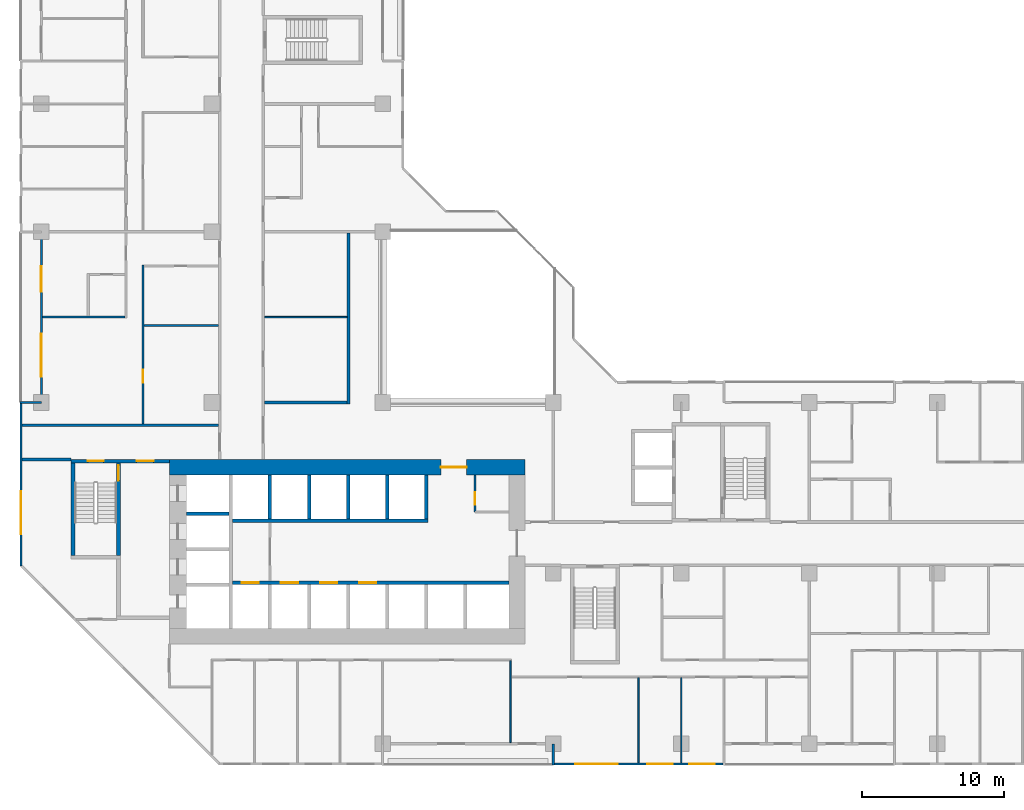
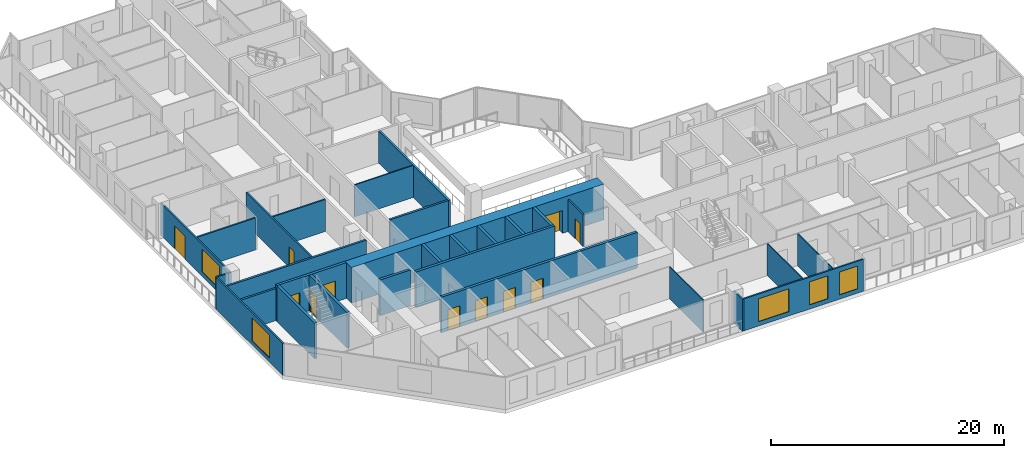
# One storey, part 5 of 15: 29 walls, 11 doors, 5 windows, 16 openings.
"""IFC4 building model written with IfcOpenShell, lengths in metres."""

from ifc_helpers import new_model, si_unit, direction, frame, frame_2d, origin, place, context, subcontext, project, spatial, rectangle, extrude, material, layer, layer_set, type_object, element, fill, save


model = new_model("IFC4")

# Units and contexts
model_context = context("Model", 3, precision=1e-05, world=origin(), true_north=direction((0.0, 1.0)))
body_context = subcontext(model_context, "Body", "Model", "MODEL_VIEW")
ifc_project = project(units=[si_unit("LENGTHUNIT", "METRE"), si_unit("AREAUNIT", "SQUARE_METRE"), si_unit("VOLUMEUNIT", "CUBIC_METRE"), si_unit("PLANEANGLEUNIT", "RADIAN"), si_unit("MASSUNIT", "GRAM", prefix="KILO")], contexts=[model_context])

# Site, building, storey
site_placement = place(None, origin())
site = spatial("IfcSite", under=ifc_project, at=site_placement, CompositionType="ELEMENT")
building_placement = place(site_placement, origin())
building = spatial("IfcBuilding", under=site, at=building_placement, Name="Chenar Terraces", CompositionType="ELEMENT")
storey_placement = place(building_placement, frame((0.0, 0.0, 67.64990234375)))
storey = spatial("IfcBuildingStorey", under=building, at=storey_placement, Name="L14", CompositionType="ELEMENT", Elevation=67.64990234375)

# Wall, opening, door
ifc_material_1 = material(Name="Gypsum board on steel studs", Category="steel")
ifc_layer_1 = layer(ifc_material_1, 0.14990234375)
ifc_layer_set_1 = layer_set([ifc_layer_1], Name="Gypsum board on steel studs")
wall_type_1 = type_object("IfcWallType", Name="Core partition 150 gypsum board", PredefinedType="PARTITIONING", material=ifc_layer_set_1)
wall_1_placement = place(storey_placement, frame((30.5, 16.300048828125, 0.0), z_axis=(0.0, 0.0, 1.0), x_axis=(0.0, 1.0, 0.0)))
wall_1 = element("IfcWall", 1, at=wall_1_placement, inside=storey, type_object=wall_type_1, Name="Core partition CP1 vestibule room west wall", PredefinedType="PARTITIONING", context=body_context, shape_type="SweptSolid", body=[
    extrude(rectangle(XDim=2.599853515625, YDim=0.14990234375, at=frame_2d((1.2998046875, 0.0))), origin(), (0.0, 0.0, 1.0), 3.35009765625),
])
opening_1_placement = place(wall_1_placement, frame((0.5, 0.0, 0.0)))
opening_1 = element("IfcOpeningElement", 2, at=opening_1_placement, cuts=wall_1, Name="Opening DL14-C13", PredefinedType="OPENING", context=body_context, shape_type="SweptSolid", body=[
    extrude(rectangle(XDim=0.89990234375, YDim=2.10009765625, at=frame_2d((0.449951171875, 1.050048828125))), frame((0.0, 0.0849609375, 0.0), z_axis=(0.0, -1.0, 0.0), x_axis=(1.0, 0.0, 0.0)), (0.0, 0.0, 1.0), 0.169921875),
])
ifc_material_2 = material(Name="Steel-framed fire-resisting door leaf", Category="steel")
door_type_1 = type_object("IfcDoorType", Name="Riser fire door FD60 900 x 2100", OperationType="SINGLE_SWING_LEFT", PredefinedType="DOOR", material=ifc_material_2)
door_1_placement = place(opening_1_placement, frame((0.89990234375, 0.0, 0.0), z_axis=(0.0, 0.0, 1.0), x_axis=(-1.0, 0.0, 0.0)))
door_1 = element("IfcDoor", 3, at=door_1_placement, inside=storey, type_object=door_type_1, Name="Core room door DL14-C13", OperationType="SINGLE_SWING_RIGHT", OverallHeight=2.10009765625, OverallWidth=0.89990234375, PredefinedType="DOOR", context=body_context, shape_type="SweptSolid", body=[
    extrude(rectangle(XDim=0.89990234375, YDim=2.10009765625, at=frame_2d((0.449951171875, 1.050048828125))), frame((0.0, 0.02490234375, 0.0), z_axis=(0.0, -1.0, 0.0), x_axis=(1.0, 0.0, 0.0)), (0.0, 0.0, 1.0), 0.050048828125),
])
fill(opening_1, door_1)

ifc_material_3 = material(Name="Concrete C70/85", Category="concrete")
ifc_layer_2 = layer(ifc_material_3, 1.10009765625)
ifc_layer_set_2 = layer_set([ifc_layer_2], Name="Concrete C70/85")
wall_type_2 = type_object("IfcWallType", Name="Core wall 1100 Concrete C70/85", PredefinedType="SHEAR", material=ifc_layer_set_2)
wall_2_placement = place(storey_placement, frame((9.0, 19.449951171875, 0.0), z_axis=(0.0, 0.0, 1.0), x_axis=(1.0, 0.0, 0.0)))
wall_2 = element("IfcWall", 4, at=wall_2_placement, inside=storey, type_object=wall_type_2, Name="Core wall N L14", PredefinedType="SHEAR", context=body_context, shape_type="SweptSolid", body=[
    extrude(rectangle(XDim=25.0, YDim=1.10009765625, at=frame_2d((12.5, 0.0))), origin(), (0.0, 0.0, 1.0), 3.75),
])
opening_2_placement = place(wall_2_placement, frame((19.10009765625, 0.0, 0.0)))
opening_2 = element("IfcOpeningElement", 5, at=opening_2_placement, cuts=wall_2, Name="Opening DL14-C2", PredefinedType="OPENING", context=body_context, shape_type="SweptSolid", body=[
    extrude(rectangle(XDim=1.800048828125, YDim=2.39990234375, at=frame_2d((0.89990234375, 1.199951171875))), frame((0.0, 0.56005859375, 0.0), z_axis=(0.0, -1.0, 0.0), x_axis=(1.0, 0.0, 0.0)), (0.0, 0.0, 1.0), 1.1201171875),
])
ifc_material_4 = material(Name="Steel-framed fire-resisting door leaf", Category="steel")
door_type_2 = type_object("IfcDoorType", Name="Core entrance double fire door FD60 1800 x 2400", OperationType="DOUBLE_DOOR_SINGLE_SWING", PredefinedType="DOOR", material=ifc_material_4)
door_2_placement = place(opening_2_placement, frame((1.800048828125, 0.0, 0.0), z_axis=(0.0, 0.0, 1.0), x_axis=(-1.0, 0.0, 0.0)))
door_2 = element("IfcDoor", 6, at=door_2_placement, inside=storey, type_object=door_type_2, Name="Core door DL14-C2", OperationType="DOUBLE_DOOR_SINGLE_SWING", OverallHeight=2.39990234375, OverallWidth=1.800048828125, PredefinedType="DOOR", context=body_context, shape_type="SweptSolid", body=[
    extrude(rectangle(XDim=1.800048828125, YDim=2.39990234375, at=frame_2d((0.89990234375, 1.199951171875))), frame((0.0, 0.02490234375, 0.0), z_axis=(0.0, -1.0, 0.0), x_axis=(1.0, 0.0, 0.0)), (0.0, 0.0, 1.0), 0.050048828125),
])
fill(opening_2, door_2)

# Wall, openings, doors
ifc_material_5 = material(Name="Concrete C70/85", Category="concrete")
ifc_layer_3 = layer(ifc_material_5, 0.25)
ifc_layer_set_3 = layer_set([ifc_layer_3], Name="Concrete C70/85")
wall_type_3 = type_object("IfcWallType", Name="Core wall 250 Concrete C70/85", PredefinedType="SHEAR", material=ifc_layer_set_3)
wall_3_placement = place(storey_placement, frame((13.449951171875, 11.324951171875, 0.0), z_axis=(0.0, 0.0, 1.0), x_axis=(1.0, 0.0, 0.0)))
wall_3 = element("IfcWall", 7, at=wall_3_placement, inside=storey, type_object=wall_type_3, Name="Core wall SF L14", PredefinedType="SHEAR", context=body_context, shape_type="SweptSolid", body=[
    extrude(rectangle(XDim=19.449951171875, YDim=0.25, at=frame_2d((9.72509765625, 0.0))), origin(), (0.0, 0.0, 1.0), 3.75),
])
opening_3_placement = place(wall_3_placement, frame((0.64990234375, 0.0, 0.0)))
opening_3 = element("IfcOpeningElement", 8, at=opening_3_placement, cuts=wall_3, Name="Opening DL14-LD1", PredefinedType="OPENING", context=body_context, shape_type="SweptSolid", body=[
    extrude(rectangle(XDim=1.199951171875, YDim=2.199951171875, at=frame_2d((0.60009765625, 1.10009765625))), frame((0.0, 0.135009765625, 0.0), z_axis=(0.0, -1.0, 0.0), x_axis=(1.0, 0.0, 0.0)), (0.0, 0.0, 1.0), 0.27001953125),
])
opening_4_placement = place(wall_3_placement, frame((3.39990234375, 0.0, 0.0)))
opening_4 = element("IfcOpeningElement", 9, at=opening_4_placement, cuts=wall_3, Name="Opening DL14-LD2", PredefinedType="OPENING", context=body_context, shape_type="SweptSolid", body=[
    extrude(rectangle(XDim=1.199951171875, YDim=2.199951171875, at=frame_2d((0.60009765625, 1.10009765625))), frame((0.0, 0.135009765625, 0.0), z_axis=(0.0, -1.0, 0.0), x_axis=(1.0, 0.0, 0.0)), (0.0, 0.0, 1.0), 0.27001953125),
])
opening_5_placement = place(wall_3_placement, frame((6.14990234375, 0.0, 0.0)))
opening_5 = element("IfcOpeningElement", 10, at=opening_5_placement, cuts=wall_3, Name="Opening DL14-LD3", PredefinedType="OPENING", context=body_context, shape_type="SweptSolid", body=[
    extrude(rectangle(XDim=1.199951171875, YDim=2.199951171875, at=frame_2d((0.60009765625, 1.10009765625))), frame((0.0, 0.135009765625, 0.0), z_axis=(0.0, -1.0, 0.0), x_axis=(1.0, 0.0, 0.0)), (0.0, 0.0, 1.0), 0.27001953125),
])
opening_6_placement = place(wall_3_placement, frame((8.89990234375, 0.0, 0.0)))
opening_6 = element("IfcOpeningElement", 11, at=opening_6_placement, cuts=wall_3, Name="Opening DL14-LD4", PredefinedType="OPENING", context=body_context, shape_type="SweptSolid", body=[
    extrude(rectangle(XDim=1.199951171875, YDim=2.199951171875, at=frame_2d((0.60009765625, 1.10009765625))), frame((0.0, 0.135009765625, 0.0), z_axis=(0.0, -1.0, 0.0), x_axis=(1.0, 0.0, 0.0)), (0.0, 0.0, 1.0), 0.27001953125),
])
ifc_material_6 = material(Name="Stainless steel", Category="steel")
door_type_3 = type_object("IfcDoorType", Name="Lift landing door 1200 x 2200 sliding", OperationType="DOUBLE_DOOR_SLIDING", PredefinedType="DOOR", material=ifc_material_6)
door_3_placement = place(opening_3_placement, origin())
door_3 = element("IfcDoor", 12, at=door_3_placement, inside=storey, type_object=door_type_3, Name="Landing door L1", OperationType="DOUBLE_DOOR_SLIDING", OverallHeight=2.199951171875, OverallWidth=1.199951171875, PredefinedType="DOOR", context=body_context, shape_type="SweptSolid", body=[
    extrude(rectangle(XDim=1.199951171875, YDim=2.199951171875, at=frame_2d((0.60009765625, 1.10009765625))), frame((0.0, 0.02490234375, 0.0), z_axis=(0.0, -1.0, 0.0), x_axis=(1.0, 0.0, 0.0)), (0.0, 0.0, 1.0), 0.050048828125),
])
fill(opening_3, door_3)
door_4_placement = place(opening_4_placement, origin())
door_4 = element("IfcDoor", 13, at=door_4_placement, inside=storey, type_object=door_type_3, Name="Landing door L2", OperationType="DOUBLE_DOOR_SLIDING", OverallHeight=2.199951171875, OverallWidth=1.199951171875, PredefinedType="DOOR", context=body_context, shape_type="SweptSolid", body=[
    extrude(rectangle(XDim=1.199951171875, YDim=2.199951171875, at=frame_2d((0.60009765625, 1.10009765625))), frame((0.0, 0.02490234375, 0.0), z_axis=(0.0, -1.0, 0.0), x_axis=(1.0, 0.0, 0.0)), (0.0, 0.0, 1.0), 0.050048828125),
])
fill(opening_4, door_4)
door_5_placement = place(opening_5_placement, origin())
door_5 = element("IfcDoor", 14, at=door_5_placement, inside=storey, type_object=door_type_3, Name="Landing door L3", OperationType="DOUBLE_DOOR_SLIDING", OverallHeight=2.199951171875, OverallWidth=1.199951171875, PredefinedType="DOOR", context=body_context, shape_type="SweptSolid", body=[
    extrude(rectangle(XDim=1.199951171875, YDim=2.199951171875, at=frame_2d((0.60009765625, 1.10009765625))), frame((0.0, 0.02490234375, 0.0), z_axis=(0.0, -1.0, 0.0), x_axis=(1.0, 0.0, 0.0)), (0.0, 0.0, 1.0), 0.050048828125),
])
fill(opening_5, door_5)
door_6_placement = place(opening_6_placement, origin())
door_6 = element("IfcDoor", 15, at=door_6_placement, inside=storey, type_object=door_type_3, Name="Landing door L4", OperationType="DOUBLE_DOOR_SLIDING", OverallHeight=2.199951171875, OverallWidth=1.199951171875, PredefinedType="DOOR", context=body_context, shape_type="SweptSolid", body=[
    extrude(rectangle(XDim=1.199951171875, YDim=2.199951171875, at=frame_2d((0.60009765625, 1.10009765625))), frame((0.0, 0.02490234375, 0.0), z_axis=(0.0, -1.0, 0.0), x_axis=(1.0, 0.0, 0.0)), (0.0, 0.0, 1.0), 0.050048828125),
])
fill(opening_6, door_6)

# Walls
wall_4_placement = place(storey_placement, frame((13.449951171875, 15.675048828125, 0.0), z_axis=(0.0, 0.0, 1.0), x_axis=(1.0, 0.0, 0.0)))
element("IfcWall", 16, at=wall_4_placement, inside=storey, type_object=wall_type_3, Name="Core wall NF L14", PredefinedType="SHEAR", context=body_context, shape_type="SweptSolid", body=[
    extrude(rectangle(XDim=13.75, YDim=0.25, at=frame_2d((6.875, 0.0))), origin(), (0.0, 0.0, 1.0), 3.75),
])
wall_5_placement = place(storey_placement, frame((10.199951171875, 16.175048828125, 0.0), z_axis=(0.0, 0.0, 1.0), x_axis=(1.0, 0.0, 0.0)))
element("IfcWall", 17, at=wall_5_placement, inside=storey, type_object=wall_type_3, Name="Core wall HW2 L14", PredefinedType="SHEAR", context=body_context, shape_type="SweptSolid", body=[
    extrude(rectangle(XDim=3.0, YDim=0.25, at=frame_2d((1.5, 0.0))), origin(), (0.0, 0.0, 1.0), 3.75),
])
for number, where, z_axis, x_axis, name in (
    (18, (16.074951171875, 15.800048828125, 0.0), (0.0, 0.0, 1.0), (0.0, 1.0, 0.0), "Core wall NS0 L14"),
    (19, (18.824951171875, 15.800048828125, 0.0), (0.0, 0.0, 1.0), (0.0, 1.0, 0.0), "Core wall NS1 L14"),
    (20, (21.574951171875, 15.800048828125, 0.0), (0.0, 0.0, 1.0), (0.0, 1.0, 0.0), "Core wall NS2 L14"),
    (21, (24.324951171875, 15.800048828125, 0.0), (0.0, 0.0, 1.0), (0.0, 1.0, 0.0), "Core wall NS3 L14"),
    (22, (27.074951171875, 15.800048828125, 0.0), (0.0, 0.0, 1.0), (0.0, 1.0, 0.0), "Core wall NE L14"),
):
    element("IfcWall", number, at=place(storey_placement, frame(where, z_axis=z_axis, x_axis=x_axis)), inside=storey, type_object=wall_type_3, Name=name, PredefinedType="SHEAR", context=body_context, shape_type="SweptSolid", body=[
        extrude(rectangle(XDim=3.099853515625, YDim=0.25, at=frame_2d((1.5498046875, 0.0))), origin(), (0.0, 0.0, 1.0), 3.75),
    ])

# Wall, openings, doors
wall_6_placement = place(storey_placement, frame((2.10009765625, 19.875, 0.0), z_axis=(0.0, 0.0, 1.0), x_axis=(1.0, 0.0, 0.0)))
wall_6 = element("IfcWall", 23, at=wall_6_placement, inside=storey, type_object=wall_type_3, Name="Core wall A_N L14", PredefinedType="SHEAR", context=body_context, shape_type="SweptSolid", body=[
    extrude(rectangle(XDim=6.89990234375, YDim=0.25, at=frame_2d((3.449951171875, 0.0))), origin(), (0.0, 0.0, 1.0), 3.75),
])
opening_7_placement = place(wall_6_placement, frame((1.175048828125, 0.0, 0.0)))
opening_7 = element("IfcOpeningElement", 24, at=opening_7_placement, cuts=wall_6, Name="Opening DL14-C5", PredefinedType="OPENING", context=body_context, shape_type="SweptSolid", body=[
    extrude(rectangle(XDim=1.10009765625, YDim=2.199951171875, at=frame_2d((0.550048828125, 1.10009765625))), frame((0.0, 0.135009765625, 0.0), z_axis=(0.0, -1.0, 0.0), x_axis=(1.0, 0.0, 0.0)), (0.0, 0.0, 1.0), 0.27001953125),
])
opening_8_placement = place(wall_6_placement, frame((4.60009765625, 0.0, 0.0)))
opening_8 = element("IfcOpeningElement", 25, at=opening_8_placement, cuts=wall_6, Name="Opening DL14-C6", PredefinedType="OPENING", context=body_context, shape_type="SweptSolid", body=[
    extrude(rectangle(XDim=1.199951171875, YDim=2.199951171875, at=frame_2d((0.60009765625, 1.10009765625))), frame((0.0, 0.135009765625, 0.0), z_axis=(0.0, -1.0, 0.0), x_axis=(1.0, 0.0, 0.0)), (0.0, 0.0, 1.0), 0.27001953125),
])
ifc_material_7 = material(Name="Steel-framed fire-resisting door leaf", Category="steel")
door_type_4 = type_object("IfcDoorType", Name="Lobby fire door FD60 1200 x 2200", OperationType="SINGLE_SWING_LEFT", PredefinedType="DOOR", material=ifc_material_7)
door_7_placement = place(opening_8_placement, frame((1.199951171875, 0.0, 0.0), z_axis=(0.0, 0.0, 1.0), x_axis=(-1.0, 0.0, 0.0)))
door_7 = element("IfcDoor", 26, at=door_7_placement, inside=storey, type_object=door_type_4, Name="Core door DL14-C6", OperationType="SINGLE_SWING_LEFT", OverallHeight=2.199951171875, OverallWidth=1.199951171875, PredefinedType="DOOR", context=body_context, shape_type="SweptSolid", body=[
    extrude(rectangle(XDim=1.199951171875, YDim=2.199951171875, at=frame_2d((0.60009765625, 1.10009765625))), frame((0.0, 0.02490234375, 0.0), z_axis=(0.0, -1.0, 0.0), x_axis=(1.0, 0.0, 0.0)), (0.0, 0.0, 1.0), 0.050048828125),
])
fill(opening_8, door_7)
ifc_material_8 = material(Name="Steel-framed fire-resisting door leaf", Category="steel")
door_type_5 = type_object("IfcDoorType", Name="Stair fire door FD60 1100 x 2200", OperationType="SINGLE_SWING_LEFT", PredefinedType="DOOR", material=ifc_material_8)
door_8_placement = place(opening_7_placement, origin())
door_8 = element("IfcDoor", 27, at=door_8_placement, inside=storey, type_object=door_type_5, Name="Stair door DL14-C5", OperationType="SINGLE_SWING_LEFT", OverallHeight=2.199951171875, OverallWidth=1.10009765625, PredefinedType="DOOR", context=body_context, shape_type="SweptSolid", body=[
    extrude(rectangle(XDim=1.10009765625, YDim=2.199951171875, at=frame_2d((0.550048828125, 1.10009765625))), frame((0.0, 0.02490234375, 0.0), z_axis=(0.0, -1.0, 0.0), x_axis=(1.0, 0.0, 0.0)), (0.0, 0.0, 1.0), 0.050048828125),
])
fill(opening_7, door_8)

# Wall
wall_7_placement = place(storey_placement, frame((2.22509765625, 13.25, 0.0), z_axis=(0.0, 0.0, 1.0), x_axis=(0.0, 1.0, 0.0)))
element("IfcWall", 28, at=wall_7_placement, inside=storey, type_object=wall_type_3, Name="Core wall ST1_W L14", PredefinedType="SHEAR", context=body_context, shape_type="SweptSolid", body=[
    extrude(rectangle(XDim=6.5, YDim=0.25, at=frame_2d((3.25, 0.0))), origin(), (0.0, 0.0, 1.0), 3.75),
])

# Wall, opening, door
wall_8_placement = place(storey_placement, frame((5.425048828125, 13.25, 0.0), z_axis=(0.0, 0.0, 1.0), x_axis=(0.0, 1.0, 0.0)))
wall_8 = element("IfcWall", 29, at=wall_8_placement, inside=storey, type_object=wall_type_3, Name="Core wall ST1_E L14", PredefinedType="SHEAR", context=body_context, shape_type="SweptSolid", body=[
    extrude(rectangle(XDim=6.5, YDim=0.25, at=frame_2d((3.25, 0.0))), origin(), (0.0, 0.0, 1.0), 3.75),
])
opening_9_placement = place(wall_8_placement, frame((5.25, 0.0, 0.0)))
opening_9 = element("IfcOpeningElement", 30, at=opening_9_placement, cuts=wall_8, Name="Opening DL14-C3", PredefinedType="OPENING", context=body_context, shape_type="SweptSolid", body=[
    extrude(rectangle(XDim=1.10009765625, YDim=2.199951171875, at=frame_2d((0.550048828125, 1.10009765625))), frame((0.0, 0.135009765625, 0.0), z_axis=(0.0, -1.0, 0.0), x_axis=(1.0, 0.0, 0.0)), (0.0, 0.0, 1.0), 0.27001953125),
])
door_9_placement = place(opening_9_placement, origin())
door_9 = element("IfcDoor", 31, at=door_9_placement, inside=storey, type_object=door_type_5, Name="Stair door DL14-C3", OperationType="SINGLE_SWING_RIGHT", OverallHeight=2.199951171875, OverallWidth=1.10009765625, PredefinedType="DOOR", context=body_context, shape_type="SweptSolid", body=[
    extrude(rectangle(XDim=1.10009765625, YDim=2.199951171875, at=frame_2d((0.550048828125, 1.10009765625))), frame((0.0, 0.02490234375, 0.0), z_axis=(0.0, -1.0, 0.0), x_axis=(1.0, 0.0, 0.0)), (0.0, 0.0, 1.0), 0.050048828125),
])
fill(opening_9, door_9)

# Walls
ifc_material_9 = material(Name="Gypsum board on steel studs with fire boards", Category="steel")
ifc_layer_4 = layer(ifc_material_9, 0.199951171875)
ifc_layer_set_4 = layer_set([ifc_layer_4], Name="Gypsum board on steel studs with fire boards")
wall_type_4 = type_object("IfcWallType", Name="Corridor wall 200", PredefinedType="PARTITIONING", material=ifc_layer_set_4)
wall_9_placement = place(storey_placement, frame((-1.35009765625, 20.0, 0.0), z_axis=(0.0, 0.0, 1.0), x_axis=(1.0, 0.0, 0.0)))
element("IfcWall", 32, at=wall_9_placement, inside=storey, type_object=wall_type_4, Name="Partition L14-004", PredefinedType="PARTITIONING", context=body_context, shape_type="SweptSolid", body=[
    extrude(rectangle(XDim=3.4501953125, YDim=0.199951171875, at=frame_2d((1.72509765625, 0.0))), origin(), (0.0, 0.0, 1.0), 3.35009765625),
])
wall_10_placement = place(storey_placement, frame((-1.35009765625, 22.39990234375, 0.0), z_axis=(0.0, 0.0, 1.0), x_axis=(1.0, 0.0, 0.0)))
element("IfcWall", 33, at=wall_10_placement, inside=storey, type_object=wall_type_4, Name="Partition L14-005", PredefinedType="PARTITIONING", context=body_context, shape_type="SweptSolid", body=[
    extrude(rectangle(XDim=13.800048828125, YDim=0.199951171875, at=frame_2d((6.89990234375, 0.0))), origin(), (0.0, 0.0, 1.0), 3.35009765625),
])
wall_11_placement = place(storey_placement, frame((15.699951171875, 24.0, 0.0), z_axis=(0.0, 0.0, 1.0), x_axis=(1.0, 0.0, 0.0)))
element("IfcWall", 34, at=wall_11_placement, inside=storey, type_object=wall_type_4, Name="Partition L14-035", PredefinedType="PARTITIONING", context=body_context, shape_type="SweptSolid", body=[
    extrude(rectangle(XDim=5.800048828125, YDim=0.199951171875, at=frame_2d((2.89990234375, 0.0))), origin(), (0.0, 0.0, 1.0), 3.35009765625),
])
wall_12_placement = place(storey_placement, frame((21.60009765625, 23.89990234375, 0.0), z_axis=(0.0, 0.0, 1.0), x_axis=(0.0, 1.0, 0.0)))
element("IfcWall", 35, at=wall_12_placement, inside=storey, type_object=wall_type_4, Name="Partition L14-053", PredefinedType="PARTITIONING", context=body_context, shape_type="SweptSolid", body=[
    extrude(rectangle(XDim=12.0, YDim=0.199951171875, at=frame_2d((6.0, 0.0))), origin(), (0.0, 0.0, 1.0), 3.35009765625),
])

# Wall, opening, window
ifc_material_10 = material(Name="Aluminium framed glazing", Category="aluminium")
ifc_layer_5 = layer(ifc_material_10, 0.14990234375)
ifc_layer_set_5 = layer_set([ifc_layer_5], Name="Aluminium framed glazing")
wall_type_5 = type_object("IfcWallType", Name="Glazed flush facade wall 150", PredefinedType="SOLIDWALL", material=ifc_layer_set_5)
wall_13_placement = place(storey_placement, frame((-1.425048828125, 23.925048828125, 0.0), z_axis=(0.0, 0.0, 1.0), x_axis=(0.0, -1.0, 0.0)))
wall_13 = element("IfcWall", 36, at=wall_13_placement, inside=storey, type_object=wall_type_5, Name="Glazed flush facade wall", PredefinedType="SOLIDWALL", context=body_context, shape_type="SweptSolid", body=[
    extrude(rectangle(XDim=11.425048828125, YDim=0.14990234375, at=frame_2d((5.71240234375, 0.0))), origin(), (0.0, 0.0, 1.0), 3.35009765625),
])
opening_10_placement = place(wall_13_placement, frame((6.175048828125, 0.0, 0.449951171875)))
opening_10 = element("IfcOpeningElement", 37, at=opening_10_placement, cuts=wall_13, Name="Opening W300x240", PredefinedType="OPENING", context=body_context, shape_type="SweptSolid", body=[
    extrude(rectangle(XDim=3.0, YDim=2.39990234375, at=frame_2d((1.5, 1.199951171875))), frame((0.0, 0.0849609375, 0.0), z_axis=(0.0, -1.0, 0.0), x_axis=(1.0, 0.0, 0.0)), (0.0, 0.0, 1.0), 0.169921875),
])
ifc_material_11 = material(Name="Low emissivity double glazing, aluminium frame", Category="aluminium")
window_type_1 = type_object("IfcWindowType", Name="Fixed light 3000 x 2400", PartitioningType="SINGLE_PANEL", PredefinedType="WINDOW", material=ifc_material_11)
window_1_placement = place(opening_10_placement, origin())
window_1 = element("IfcWindow", 38, at=window_1_placement, inside=storey, type_object=window_type_1, Name="Window", OverallHeight=2.39990234375, OverallWidth=3.0, PartitioningType="SINGLE_PANEL", PredefinedType="WINDOW", context=body_context, shape_type="SweptSolid", body=[
    extrude(rectangle(XDim=3.0, YDim=2.39990234375, at=frame_2d((1.5, 1.199951171875))), frame((0.0, 0.030029296875, 0.0), z_axis=(0.0, -1.0, 0.0), x_axis=(1.0, 0.0, 0.0)), (0.0, 0.0, 1.0), 0.06005859375),
])
fill(opening_10, window_1)

# Wall, openings, windows
wall_14_placement = place(storey_placement, frame((36.074951171875, -1.425048828125, 0.0), z_axis=(0.0, 0.0, 1.0), x_axis=(1.0, 0.0, 0.0)))
wall_14 = element("IfcWall", 39, at=wall_14_placement, inside=storey, type_object=wall_type_5, Name="Glazed flush facade wall", PredefinedType="SOLIDWALL", context=body_context, shape_type="SweptSolid", body=[
    extrude(rectangle(XDim=11.85009765625, YDim=0.14990234375, at=frame_2d((5.925048828125, 0.0))), origin(), (0.0, 0.0, 1.0), 3.35009765625),
])
opening_11_placement = place(wall_14_placement, frame((1.46240234375, 0.0, 0.449951171875)))
opening_11 = element("IfcOpeningElement", 40, at=opening_11_placement, cuts=wall_14, Name="Opening W300x240", PredefinedType="OPENING", context=body_context, shape_type="SweptSolid", body=[
    extrude(rectangle(XDim=3.0, YDim=2.39990234375, at=frame_2d((1.5, 1.199951171875))), frame((0.0, 0.0849609375, 0.0), z_axis=(0.0, -1.0, 0.0), x_axis=(1.0, 0.0, 0.0)), (0.0, 0.0, 1.0), 0.169921875),
])
opening_12_placement = place(wall_14_placement, frame((6.52490234375, 0.0, 0.449951171875)))
opening_12 = element("IfcOpeningElement", 41, at=opening_12_placement, cuts=wall_14, Name="Opening W180x240", PredefinedType="OPENING", context=body_context, shape_type="SweptSolid", body=[
    extrude(rectangle(XDim=1.800048828125, YDim=2.39990234375, at=frame_2d((0.89990234375, 1.199951171875))), frame((0.0, 0.0849609375, 0.0), z_axis=(0.0, -1.0, 0.0), x_axis=(1.0, 0.0, 0.0)), (0.0, 0.0, 1.0), 0.169921875),
])
opening_13_placement = place(wall_14_placement, frame((9.487548828125, 0.0, 0.449951171875)))
opening_13 = element("IfcOpeningElement", 42, at=opening_13_placement, cuts=wall_14, Name="Opening W180x240", PredefinedType="OPENING", context=body_context, shape_type="SweptSolid", body=[
    extrude(rectangle(XDim=1.800048828125, YDim=2.39990234375, at=frame_2d((0.89990234375, 1.199951171875))), frame((0.0, 0.0849609375, 0.0), z_axis=(0.0, -1.0, 0.0), x_axis=(1.0, 0.0, 0.0)), (0.0, 0.0, 1.0), 0.169921875),
])
ifc_material_12 = material(Name="Low emissivity double glazing, aluminium frame", Category="aluminium")
window_type_2 = type_object("IfcWindowType", Name="Fixed light 1800 x 2400", PartitioningType="SINGLE_PANEL", PredefinedType="WINDOW", material=ifc_material_12)
window_2_placement = place(opening_12_placement, origin())
window_2 = element("IfcWindow", 43, at=window_2_placement, inside=storey, type_object=window_type_2, Name="Window", OverallHeight=2.39990234375, OverallWidth=1.800048828125, PartitioningType="SINGLE_PANEL", PredefinedType="WINDOW", context=body_context, shape_type="SweptSolid", body=[
    extrude(rectangle(XDim=1.800048828125, YDim=2.39990234375, at=frame_2d((0.89990234375, 1.199951171875))), frame((0.0, 0.030029296875, 0.0), z_axis=(0.0, -1.0, 0.0), x_axis=(1.0, 0.0, 0.0)), (0.0, 0.0, 1.0), 0.06005859375),
])
fill(opening_12, window_2)
window_3_placement = place(opening_13_placement, origin())
window_3 = element("IfcWindow", 44, at=window_3_placement, inside=storey, type_object=window_type_2, Name="Window", OverallHeight=2.39990234375, OverallWidth=1.800048828125, PartitioningType="SINGLE_PANEL", PredefinedType="WINDOW", context=body_context, shape_type="SweptSolid", body=[
    extrude(rectangle(XDim=1.800048828125, YDim=2.39990234375, at=frame_2d((0.89990234375, 1.199951171875))), frame((0.0, 0.030029296875, 0.0), z_axis=(0.0, -1.0, 0.0), x_axis=(1.0, 0.0, 0.0)), (0.0, 0.0, 1.0), 0.06005859375),
])
fill(opening_13, window_3)
window_4_placement = place(opening_11_placement, origin())
window_4 = element("IfcWindow", 45, at=window_4_placement, inside=storey, type_object=window_type_1, Name="Window", OverallHeight=2.39990234375, OverallWidth=3.0, PartitioningType="SINGLE_PANEL", PredefinedType="WINDOW", context=body_context, shape_type="SweptSolid", body=[
    extrude(rectangle(XDim=3.0, YDim=2.39990234375, at=frame_2d((1.5, 1.199951171875))), frame((0.0, 0.030029296875, 0.0), z_axis=(0.0, -1.0, 0.0), x_axis=(1.0, 0.0, 0.0)), (0.0, 0.0, 1.0), 0.06005859375),
])
fill(opening_11, window_4)

# Wall, openings, window, door
ifc_material_13 = material(Name="Aluminium framed glazing", Category="aluminium")
ifc_layer_6 = layer(ifc_material_13, 0.14990234375)
ifc_layer_set_6 = layer_set([ifc_layer_6], Name="Aluminium framed glazing")
wall_type_6 = type_object("IfcWallType", Name="Glazed loggia back wall 150", PredefinedType="SOLIDWALL", material=ifc_layer_set_6)
wall_15_placement = place(storey_placement, frame((0.0, 35.925048828125, 0.0), z_axis=(0.0, 0.0, 1.0), x_axis=(0.0, -1.0, 0.0)))
wall_15 = element("IfcWall", 46, at=wall_15_placement, inside=storey, type_object=wall_type_6, Name="Glazed loggia back wall", PredefinedType="SOLIDWALL", context=body_context, shape_type="SweptSolid", body=[
    extrude(rectangle(XDim=11.85009765625, YDim=0.14990234375, at=frame_2d((5.925048828125, 0.0))), origin(), (0.0, 0.0, 1.0), 3.35009765625),
])
opening_14_placement = place(wall_15_placement, frame((2.35009765625, 0.0, 0.0)))
opening_14 = element("IfcOpeningElement", 47, at=opening_14_placement, cuts=wall_15, Name="Opening DL14-G4", PredefinedType="OPENING", context=body_context, shape_type="SweptSolid", body=[
    extrude(rectangle(XDim=1.800048828125, YDim=2.39990234375, at=frame_2d((0.89990234375, 1.199951171875))), frame((0.0, 0.0849609375, 0.0), z_axis=(0.0, -1.0, 0.0), x_axis=(1.0, 0.0, 0.0)), (0.0, 0.0, 1.0), 0.169921875),
])
opening_15_placement = place(wall_15_placement, frame((7.10009765625, 0.0, 0.449951171875)))
opening_15 = element("IfcOpeningElement", 48, at=opening_15_placement, cuts=wall_15, Name="Opening W300x240", PredefinedType="OPENING", context=body_context, shape_type="SweptSolid", body=[
    extrude(rectangle(XDim=3.0, YDim=2.39990234375, at=frame_2d((1.5, 1.199951171875))), frame((0.0, 0.0849609375, 0.0), z_axis=(0.0, -1.0, 0.0), x_axis=(1.0, 0.0, 0.0)), (0.0, 0.0, 1.0), 0.169921875),
])
window_5_placement = place(opening_15_placement, origin())
window_5 = element("IfcWindow", 49, at=window_5_placement, inside=storey, type_object=window_type_1, Name="Window", OverallHeight=2.39990234375, OverallWidth=3.0, PartitioningType="SINGLE_PANEL", PredefinedType="WINDOW", context=body_context, shape_type="SweptSolid", body=[
    extrude(rectangle(XDim=3.0, YDim=2.39990234375, at=frame_2d((1.5, 1.199951171875))), frame((0.0, 0.030029296875, 0.0), z_axis=(0.0, -1.0, 0.0), x_axis=(1.0, 0.0, 0.0)), (0.0, 0.0, 1.0), 0.06005859375),
])
fill(opening_15, window_5)
ifc_material_14 = material(Name="Low emissivity double glazing, aluminium frame", Category="aluminium")
door_type_6 = type_object("IfcDoorType", Name="Loggia glazed double door 1800 x 2400", OperationType="DOUBLE_DOOR_SINGLE_SWING", PredefinedType="DOOR", material=ifc_material_14)
door_10_placement = place(opening_14_placement, frame((1.800048828125, 0.0, 0.0), z_axis=(0.0, 0.0, 1.0), x_axis=(-1.0, 0.0, 0.0)))
door_10 = element("IfcDoor", 50, at=door_10_placement, inside=storey, type_object=door_type_6, Name="Loggia glazed door", OperationType="DOUBLE_DOOR_SINGLE_SWING", OverallHeight=2.39990234375, OverallWidth=1.800048828125, PredefinedType="DOOR", context=body_context, shape_type="SweptSolid", body=[
    extrude(rectangle(XDim=1.800048828125, YDim=2.39990234375, at=frame_2d((0.89990234375, 1.199951171875))), frame((0.0, 0.02490234375, 0.0), z_axis=(0.0, -1.0, 0.0), x_axis=(1.0, 0.0, 0.0)), (0.0, 0.0, 1.0), 0.050048828125),
])
fill(opening_14, door_10)

# Walls
ifc_material_15 = material(Name="Gypsum board on steel studs", Category="steel")
ifc_layer_7 = layer(ifc_material_15, 0.10009765625)
ifc_layer_set_7 = layer_set([ifc_layer_7], Name="Gypsum board on steel studs")
wall_type_7 = type_object("IfcWallType", Name="Gypsum partition 100", PredefinedType="PARTITIONING", material=ifc_layer_set_7)
wall_16_placement = place(storey_placement, frame((15.699951171875, 30.0, 0.0), z_axis=(0.0, 0.0, 1.0), x_axis=(1.0, 0.0, 0.0)))
element("IfcWall", 51, at=wall_16_placement, inside=storey, type_object=wall_type_7, Name="Partition L14-036", PredefinedType="PARTITIONING", context=body_context, shape_type="SweptSolid", body=[
    extrude(rectangle(XDim=5.800048828125, YDim=0.10009765625, at=frame_2d((2.89990234375, 0.0))), origin(), (0.0, 0.0, 1.0), 3.35009765625),
])
wall_17_placement = place(storey_placement, frame((33.0, 0.073974609375, 0.0), z_axis=(0.0, 0.0, 1.0), x_axis=(0.0, 1.0, 0.0)))
element("IfcWall", 52, at=wall_17_placement, inside=storey, type_object=wall_type_7, Name="Partition L14-055", PredefinedType="PARTITIONING", context=body_context, shape_type="SweptSolid", body=[
    extrude(rectangle(XDim=5.776123046875, YDim=0.10009765625, at=frame_2d((2.88818359375, 0.0))), origin(), (0.0, 0.0, 1.0), 3.35009765625),
])
wall_18_placement = place(storey_placement, frame((42.0, -1.35009765625, 0.0), z_axis=(0.0, 0.0, 1.0), x_axis=(0.0, 1.0, 0.0)))
element("IfcWall", 53, at=wall_18_placement, inside=storey, type_object=wall_type_7, Name="Partition L14-061", PredefinedType="PARTITIONING", context=body_context, shape_type="SweptSolid", body=[
    extrude(rectangle(XDim=6.0, YDim=0.10009765625, at=frame_2d((3.0, 0.0))), origin(), (0.0, 0.0, 1.0), 3.35009765625),
])
wall_19_placement = place(storey_placement, frame((45.0, -1.35107421875, 0.0), z_axis=(0.0, 0.0, 1.0), x_axis=(0.0, 1.0, 0.0)))
element("IfcWall", 54, at=wall_19_placement, inside=storey, type_object=wall_type_7, Name="Partition L14-065", PredefinedType="PARTITIONING", context=body_context, shape_type="SweptSolid", body=[
    extrude(rectangle(XDim=6.0009765625, YDim=0.10009765625, at=frame_2d((3.00048828125, 0.0))), origin(), (0.0, 0.0, 1.0), 3.35009765625),
])
ifc_material_16 = material(Name="Terracotta cladding on insulated backing", Category="masonry")
ifc_layer_8 = layer(ifc_material_16, 0.14990234375)
ifc_layer_set_8 = layer_set([ifc_layer_8], Name="Terracotta cladding on insulated backing")
wall_type_8 = type_object("IfcWallType", Name="Loggia return wall 150", PredefinedType="SOLIDWALL", material=ifc_layer_set_8)
for number, where, z_axis, x_axis, name in (
    (55, (-1.5, 24.0, 0.0), (0.0, 0.0, 1.0), (1.0, 0.0, 0.0), "Loggia return wall"),
    (56, (36.0, -1.5, 0.0), (0.0, 0.0, 1.0), (0.0, 1.0, 0.0), "Loggia return wall"),
):
    element("IfcWall", number, at=place(storey_placement, frame(where, z_axis=z_axis, x_axis=x_axis)), inside=storey, type_object=wall_type_8, Name=name, PredefinedType="SOLIDWALL", context=body_context, shape_type="SweptSolid", body=[
        extrude(rectangle(XDim=1.5, YDim=0.14990234375, at=frame_2d((0.75, 0.0))), origin(), (0.0, 0.0, 1.0), 3.35009765625),
    ])
ifc_material_17 = material(Name="Moisture-resistant gypsum board on steel studs", Category="steel")
ifc_layer_9 = layer(ifc_material_17, 0.14990234375)
ifc_layer_set_9 = layer_set([ifc_layer_9], Name="Moisture-resistant gypsum board on steel studs")
wall_type_9 = type_object("IfcWallType", Name="Wet-room partition 150", PredefinedType="PARTITIONING", material=ifc_layer_set_9)
wall_20_placement = place(storey_placement, frame((0.073974609375, 30.0, 0.0), z_axis=(0.0, 0.0, 1.0), x_axis=(1.0, 0.0, 0.0)))
element("IfcWall", 57, at=wall_20_placement, inside=storey, type_object=wall_type_9, Name="Partition L14-008", PredefinedType="PARTITIONING", context=body_context, shape_type="SweptSolid", body=[
    extrude(rectangle(XDim=5.801025390625, YDim=0.14990234375, at=frame_2d((2.900390625, 0.0))), origin(), (0.0, 0.0, 1.0), 3.35009765625),
])

# Wall, opening, door
wall_21_placement = place(storey_placement, frame((7.14990234375, 22.5, 0.0), z_axis=(0.0, 0.0, 1.0), x_axis=(0.0, 1.0, 0.0)))
wall_21 = element("IfcWall", 58, at=wall_21_placement, inside=storey, type_object=wall_type_9, Name="Partition L14-017", PredefinedType="PARTITIONING", context=body_context, shape_type="SweptSolid", body=[
    extrude(rectangle(XDim=11.175048828125, YDim=0.14990234375, at=frame_2d((5.58740234375, 0.0))), origin(), (0.0, 0.0, 1.0), 3.35009765625),
])
opening_16_placement = place(wall_21_placement, frame((2.89990234375, 0.0, 0.0)))
opening_16 = element("IfcOpeningElement", 59, at=opening_16_placement, cuts=wall_21, Name="Opening DL14-67", PredefinedType="OPENING", context=body_context, shape_type="SweptSolid", body=[
    extrude(rectangle(XDim=0.89990234375, YDim=2.10009765625, at=frame_2d((0.449951171875, 1.050048828125))), frame((0.0, 0.0849609375, 0.0), z_axis=(0.0, -1.0, 0.0), x_axis=(1.0, 0.0, 0.0)), (0.0, 0.0, 1.0), 0.169921875),
])
ifc_material_18 = material(Name="Veneered timber door leaf", Category="wood")
door_type_7 = type_object("IfcDoorType", Name="Door 900 x 2100", OperationType="SINGLE_SWING_LEFT", PredefinedType="DOOR", material=ifc_material_18)
door_11_placement = place(opening_16_placement, frame((0.89990234375, 0.0, 0.0), z_axis=(0.0, 0.0, 1.0), x_axis=(-1.0, 0.0, 0.0)))
door_11 = element("IfcDoor", 60, at=door_11_placement, inside=storey, type_object=door_type_7, Name="Door DL14-67", OperationType="SINGLE_SWING_RIGHT", OverallHeight=2.10009765625, OverallWidth=0.89990234375, PredefinedType="DOOR", context=body_context, shape_type="SweptSolid", body=[
    extrude(rectangle(XDim=0.89990234375, YDim=2.10009765625, at=frame_2d((0.449951171875, 1.050048828125))), frame((0.0, 0.02490234375, 0.0), z_axis=(0.0, -1.0, 0.0), x_axis=(1.0, 0.0, 0.0)), (0.0, 0.0, 1.0), 0.050048828125),
])
fill(opening_16, door_11)

# Wall
wall_22_placement = place(storey_placement, frame((7.22509765625, 29.39990234375, 0.0), z_axis=(0.0, 0.0, 1.0), x_axis=(1.0, 0.0, 0.0)))
element("IfcWall", 61, at=wall_22_placement, inside=storey, type_object=wall_type_9, Name="Partition L14-021", PredefinedType="PARTITIONING", context=body_context, shape_type="SweptSolid", body=[
    extrude(rectangle(XDim=5.224853515625, YDim=0.14990234375, at=frame_2d((2.6123046875, 0.0))), origin(), (0.0, 0.0, 1.0), 3.35009765625),
])

save(model, "model.ifc")
